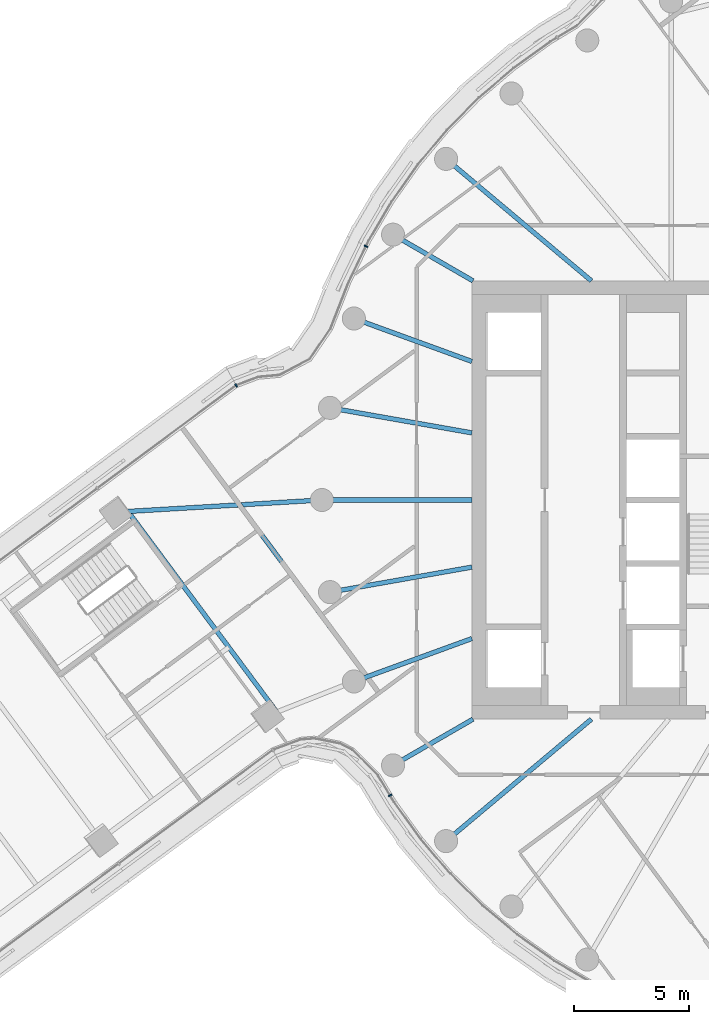
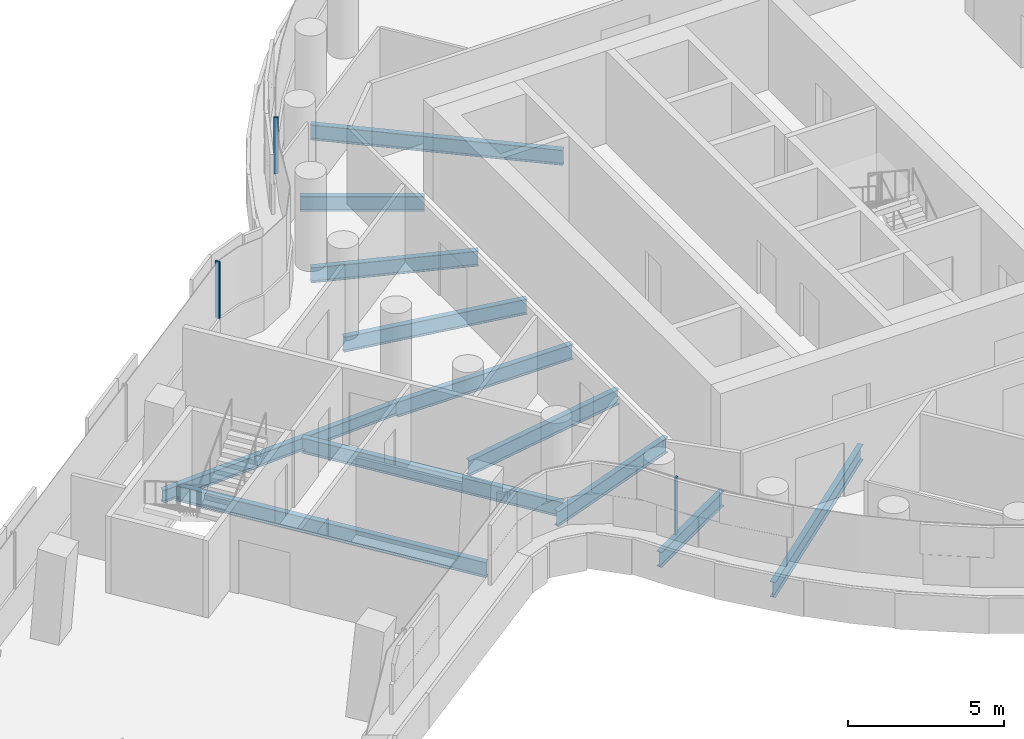
# One storey, part 9 of 32: 12 beams, 3 members, 3 elements without a shape of their own.
"""IFC4 building model written with IfcOpenShell, lengths in metres."""

from ifc_helpers import new_model, si_unit, direction, frame, origin, origin_2d, place, context, subcontext, project, spatial, rectangle, i_section, extrude, material, layer, layer_set, material_profile, profile_set, type_object, element, aggregate, save


model = new_model("IFC4")

# Units and contexts
model_context = context("Model", 3, precision=1e-05, world=origin(), true_north=direction((0.0, 1.0)))
body_context = subcontext(model_context, "Body", "Model", "MODEL_VIEW")
ifc_project = project(units=[si_unit("LENGTHUNIT", "METRE"), si_unit("AREAUNIT", "SQUARE_METRE"), si_unit("VOLUMEUNIT", "CUBIC_METRE"), si_unit("PLANEANGLEUNIT", "RADIAN"), si_unit("MASSUNIT", "GRAM", prefix="KILO")], contexts=[model_context])

# Site, building, storey
site_placement = place(None, origin())
site = spatial("IfcSite", under=ifc_project, at=site_placement, CompositionType="ELEMENT")
building_placement = place(site_placement, origin())
building = spatial("IfcBuilding", under=site, at=building_placement, Name="Tamarind Cross Interchange Tower", CompositionType="ELEMENT")
storey_placement = place(building_placement, frame((0.0, 0.0, 166.75)))
storey = spatial("IfcBuildingStorey", under=building, at=storey_placement, Name="L41", CompositionType="ELEMENT", Elevation=166.75)

# Beams
ifc_material_1 = material(Name="Steel Q355B", Category="steel")
ifc_material_profile_1 = material_profile(ifc_material_1, i_section(OverallWidth=0.198974609375, OverallDepth=0.49609375, WebThickness=0.009033203125, FlangeThickness=0.013916015625, FilletRadius=0.012939453125, at=origin_2d()), Name="HN 496x199x9x14")
ifc_profile_set_1 = profile_set([ifc_material_profile_1], Name="Steel Q355B")
beam_type_1 = type_object("IfcBeamType", Name="Composite beam HN 496x199x9x14 Q355B", PredefinedType="BEAM", material=ifc_profile_set_1)
beam_1_placement = place(storey_placement, frame((-31.94287109375, -0.527587890625, -0.387939453125), z_axis=(0.998264303254, 0.058892960943, 0.0), x_axis=(-0.058892960943, 0.998264303254, 0.0)))
element("IfcBeam", 1, at=beam_1_placement, inside=storey, type_object=beam_type_1, Name="Beam W-linkem", PredefinedType="BEAM", context=body_context, shape_type="SweptSolid", body=[
    extrude(i_section(OverallWidth=0.198974609375, OverallDepth=0.49609375, WebThickness=0.009033203125, FlangeThickness=0.013916015625, FilletRadius=0.012939453125, at=origin_2d()), origin(), (0.0, 0.0, 1.0), 8.95849609375),
])
ifc_material_profile_2 = material_profile(ifc_material_1, i_section(OverallWidth=0.198974609375, OverallDepth=0.595947265625, WebThickness=0.010009765625, FlangeThickness=0.014892578125, FilletRadius=0.012939453125, at=origin_2d()), Name="HN 596x199x10x15")
ifc_profile_set_2 = profile_set([ifc_material_profile_2], Name="Steel Q355B")
beam_type_2 = type_object("IfcBeamType", Name="Composite beam HN 596x199x10x15 Q355B", PredefinedType="BEAM", material=ifc_profile_set_2)
beam_2_placement = place(storey_placement, frame((-17.619140625, 14.7841796875, -0.43798828125), z_axis=(0.766040580814, -0.642792212574, 0.0), x_axis=(0.642792212574, 0.766040580814, 0.0)))
element("IfcBeam", 2, at=beam_2_placement, inside=storey, type_object=beam_type_2, Name="Beam HH14", PredefinedType="BEAM", context=body_context, shape_type="SweptSolid", body=[
    extrude(i_section(OverallWidth=0.198974609375, OverallDepth=0.595947265625, WebThickness=0.010009765625, FlangeThickness=0.014892578125, FilletRadius=0.012939453125, at=origin_2d()), origin(), (0.0, 0.0, 1.0), 8.220703125),
])
beam_3_placement = place(storey_placement, frame((-19.918701171875, 11.5, -0.43798828125), z_axis=(0.866026010844, -0.49999894854, 0.0), x_axis=(0.49999894854, 0.866026010844, 0.0)))
element("IfcBeam", 3, at=beam_3_placement, inside=storey, type_object=beam_type_2, Name="Beam HH15", PredefinedType="BEAM", context=body_context, shape_type="SweptSolid", body=[
    extrude(i_section(OverallWidth=0.198974609375, OverallDepth=0.595947265625, WebThickness=0.010009765625, FlangeThickness=0.014892578125, FilletRadius=0.012939453125, at=origin_2d()), origin(), (0.0, 0.0, 1.0), 4.0),
])
beam_4_placement = place(storey_placement, frame((-21.613037109375, 7.866455078125, -0.43798828125), z_axis=(0.939701685589, -0.341995236956, 0.0), x_axis=(0.341995236956, 0.939701685589, 0.0)))
element("IfcBeam", 4, at=beam_4_placement, inside=storey, type_object=beam_type_2, Name="Beam HH16", PredefinedType="BEAM", context=body_context, shape_type="SweptSolid", body=[
    extrude(i_section(OverallWidth=0.198974609375, OverallDepth=0.595947265625, WebThickness=0.010009765625, FlangeThickness=0.014892578125, FilletRadius=0.012939453125, at=origin_2d()), origin(), (0.0, 0.0, 1.0), 5.441162109375),
])
beam_5_placement = place(storey_placement, frame((-22.650634765625, 3.993896484375, -0.43798828125), z_axis=(0.984809127561, -0.173640382036, 0.0), x_axis=(0.173640382036, 0.984809127561, 0.0)))
element("IfcBeam", 5, at=beam_5_placement, inside=storey, type_object=beam_type_2, Name="Beam HH17", PredefinedType="BEAM", context=body_context, shape_type="SweptSolid", body=[
    extrude(i_section(OverallWidth=0.198974609375, OverallDepth=0.595947265625, WebThickness=0.010009765625, FlangeThickness=0.014892578125, FilletRadius=0.012939453125, at=origin_2d()), origin(), (0.0, 0.0, 1.0), 6.24560546875),
])
beam_6_placement = place(storey_placement, frame((-23.0, 0.0, -0.43798828125), z_axis=(1.0, 0.0, 0.0), x_axis=(0.0, 1.0, 0.0)))
element("IfcBeam", 6, at=beam_6_placement, inside=storey, type_object=beam_type_2, Name="Beam HH18", PredefinedType="BEAM", context=body_context, shape_type="SweptSolid", body=[
    extrude(i_section(OverallWidth=0.198974609375, OverallDepth=0.595947265625, WebThickness=0.010009765625, FlangeThickness=0.014892578125, FilletRadius=0.012939453125, at=origin_2d()), origin(), (0.0, 0.0, 1.0), 6.5),
])
beam_7_placement = place(storey_placement, frame((-22.650634765625, -3.993896484375, -0.43798828125), z_axis=(0.984809127561, 0.173640382036, 0.0), x_axis=(-0.173640382036, 0.984809127561, 0.0)))
element("IfcBeam", 7, at=beam_7_placement, inside=storey, type_object=beam_type_2, Name="Beam HH19", PredefinedType="BEAM", context=body_context, shape_type="SweptSolid", body=[
    extrude(i_section(OverallWidth=0.198974609375, OverallDepth=0.595947265625, WebThickness=0.010009765625, FlangeThickness=0.014892578125, FilletRadius=0.012939453125, at=origin_2d()), origin(), (0.0, 0.0, 1.0), 6.24560546875),
])
beam_8_placement = place(storey_placement, frame((-21.613037109375, -7.866455078125, -0.43798828125), z_axis=(0.939701685589, 0.341995236956, 0.0), x_axis=(-0.341995236956, 0.939701685589, 0.0)))
element("IfcBeam", 8, at=beam_8_placement, inside=storey, type_object=beam_type_2, Name="Beam HH20", PredefinedType="BEAM", context=body_context, shape_type="SweptSolid", body=[
    extrude(i_section(OverallWidth=0.198974609375, OverallDepth=0.595947265625, WebThickness=0.010009765625, FlangeThickness=0.014892578125, FilletRadius=0.012939453125, at=origin_2d()), origin(), (0.0, 0.0, 1.0), 5.441162109375),
])
beam_9_placement = place(storey_placement, frame((-19.918701171875, -11.5, -0.43798828125), z_axis=(0.866026010844, 0.49999894854, 0.0), x_axis=(-0.49999894854, 0.866026010844, 0.0)))
element("IfcBeam", 9, at=beam_9_placement, inside=storey, type_object=beam_type_2, Name="Beam HH21", PredefinedType="BEAM", context=body_context, shape_type="SweptSolid", body=[
    extrude(i_section(OverallWidth=0.198974609375, OverallDepth=0.595947265625, WebThickness=0.010009765625, FlangeThickness=0.014892578125, FilletRadius=0.012939453125, at=origin_2d()), origin(), (0.0, 0.0, 1.0), 4.0),
])
beam_10_placement = place(storey_placement, frame((-17.619140625, -14.7841796875, -0.43798828125), z_axis=(0.766040580814, 0.642792212574, 0.0), x_axis=(-0.642792212574, 0.766040580814, 0.0)))
element("IfcBeam", 10, at=beam_10_placement, inside=storey, type_object=beam_type_2, Name="Beam HH22", PredefinedType="BEAM", context=body_context, shape_type="SweptSolid", body=[
    extrude(i_section(OverallWidth=0.198974609375, OverallDepth=0.595947265625, WebThickness=0.010009765625, FlangeThickness=0.014892578125, FilletRadius=0.012939453125, at=origin_2d()), origin(), (0.0, 0.0, 1.0), 8.220703125),
])
ifc_material_profile_3 = material_profile(ifc_material_1, i_section(OverallWidth=0.199951171875, OverallDepth=0.60009765625, WebThickness=0.010986328125, FlangeThickness=0.01708984375, FilletRadius=0.012939453125, at=origin_2d()), Name="HN 600x200x11x17")
ifc_profile_set_3 = profile_set([ifc_material_profile_3], Name="Steel Q355B")
beam_type_3 = type_object("IfcBeamType", Name="Composite beam HN 600x200x11x17 Q355B", PredefinedType="BEAM", material=ifc_profile_set_3)
beam_11_placement = place(storey_placement, frame((-31.406005859375, -0.495849609375, -0.43994140625), z_axis=(0.59576997333, -0.80315511508, 0.0), x_axis=(0.80315511508, 0.59576997333, 0.0)))
element("IfcBeam", 11, at=beam_11_placement, inside=storey, type_object=beam_type_3, Name="Beam W-x298", PredefinedType="BEAM", context=body_context, shape_type="SweptSolid", body=[
    extrude(i_section(OverallWidth=0.199951171875, OverallDepth=0.60009765625, WebThickness=0.010986328125, FlangeThickness=0.01708984375, FilletRadius=0.012939453125, at=origin_2d()), origin(), (0.0, 0.0, 1.0), 10.825927734375),
])
beam_12_placement = place(storey_placement, frame((-26.574951171875, -0.2109375, -0.43994140625), z_axis=(0.595787229187, -0.803142314623, 0.0), x_axis=(0.803142314623, 0.595787229187, 0.0)))
element("IfcBeam", 12, at=beam_12_placement, inside=storey, type_object=beam_type_3, Name="Beam W-x258", PredefinedType="BEAM", context=body_context, shape_type="SweptSolid", body=[
    extrude(i_section(OverallWidth=0.199951171875, OverallDepth=0.60009765625, WebThickness=0.010986328125, FlangeThickness=0.01708984375, FilletRadius=0.012939453125, at=origin_2d()), origin(), (0.0, 0.0, 1.0), 9.10498046875),
])

# Curtain wall, member
ifc_material_2 = material(Name="Aluminium 6063-T6", Category="aluminium")
ifc_layer = layer(ifc_material_2, 0.159912109375)
ifc_layer_set = layer_set([ifc_layer], Name="Aluminium 6063-T6")
curtain_wall_type = type_object("IfcCurtainWallType", Name="Office curtain wall, 9.0 m bays", PredefinedType="NOTDEFINED", material=ifc_layer_set)
curtain_wall_1_placement = place(storey_placement, origin())
curtain_wall_1 = element("IfcCurtainWall", 13, at=curtain_wall_1_placement, inside=storey, type_object=curtain_wall_type, Name="CWS-L41-06", PredefinedType="NOTDEFINED")
ifc_material_profile_4 = material_profile(ifc_material_2, rectangle(XDim=0.06005859375, YDim=0.159912109375, at=origin_2d()), Name="Mullion CW1")
ifc_profile_set_4 = profile_set([ifc_material_profile_4], Name="Aluminium 6063-T6")
member_type = type_object("IfcMemberType", Name="Mullion CW1", PredefinedType="MULLION", material=ifc_profile_set_4)
member_1_placement = place(storey_placement, frame((-21.091064453125, 10.998046875, 1.39990234375), z_axis=(0.0, 0.0, 1.0), x_axis=(-0.435326231914, -0.900272776334, 0.0)))
member_1 = element("IfcMember", 14, at=member_1_placement, type_object=member_type, Name="CWM-L41-06-02", PredefinedType="MULLION", context=body_context, shape_type="SweptSolid", body=[
    extrude(rectangle(XDim=0.06005859375, YDim=0.159912109375, at=origin_2d()), origin(), (0.0, 0.0, 1.0), 2.210205078125),
])
aggregate(curtain_wall_1, [member_1])

curtain_wall_2_placement = place(storey_placement, origin())
curtain_wall_2 = element("IfcCurtainWall", 15, at=curtain_wall_2_placement, inside=storey, type_object=curtain_wall_type, Name="CWS-L41-07", PredefinedType="NOTDEFINED")
member_2_placement = place(storey_placement, frame((-26.720947265625, 4.964599609375, 1.39990234375), z_axis=(0.0, 0.0, 1.0), x_axis=(-0.876906815042, -0.480660418313, 0.0)))
member_2 = element("IfcMember", 16, at=member_2_placement, type_object=member_type, Name="CWM-L41-07-00", PredefinedType="MULLION", context=body_context, shape_type="SweptSolid", body=[
    extrude(rectangle(XDim=0.06005859375, YDim=0.159912109375, at=origin_2d()), origin(), (0.0, 0.0, 1.0), 2.210205078125),
])
aggregate(curtain_wall_2, [member_2])

curtain_wall_3_placement = place(storey_placement, origin())
curtain_wall_3 = element("IfcCurtainWall", 17, at=curtain_wall_3_placement, inside=storey, type_object=curtain_wall_type, Name="CWS-L41-10", PredefinedType="NOTDEFINED")
member_3_placement = place(storey_placement, frame((-20.04443359375, -12.803466796875, 1.39990234375), z_axis=(0.0, 0.0, 1.0), x_axis=(0.517314099566, -0.855795607835, 0.0)))
member_3 = element("IfcMember", 18, at=member_3_placement, type_object=member_type, Name="CWM-L41-10-01", PredefinedType="MULLION", context=body_context, shape_type="SweptSolid", body=[
    extrude(rectangle(XDim=0.06005859375, YDim=0.159912109375, at=origin_2d()), origin(), (0.0, 0.0, 1.0), 2.210205078125),
])
aggregate(curtain_wall_3, [member_3])

save(model, "model.ifc")
